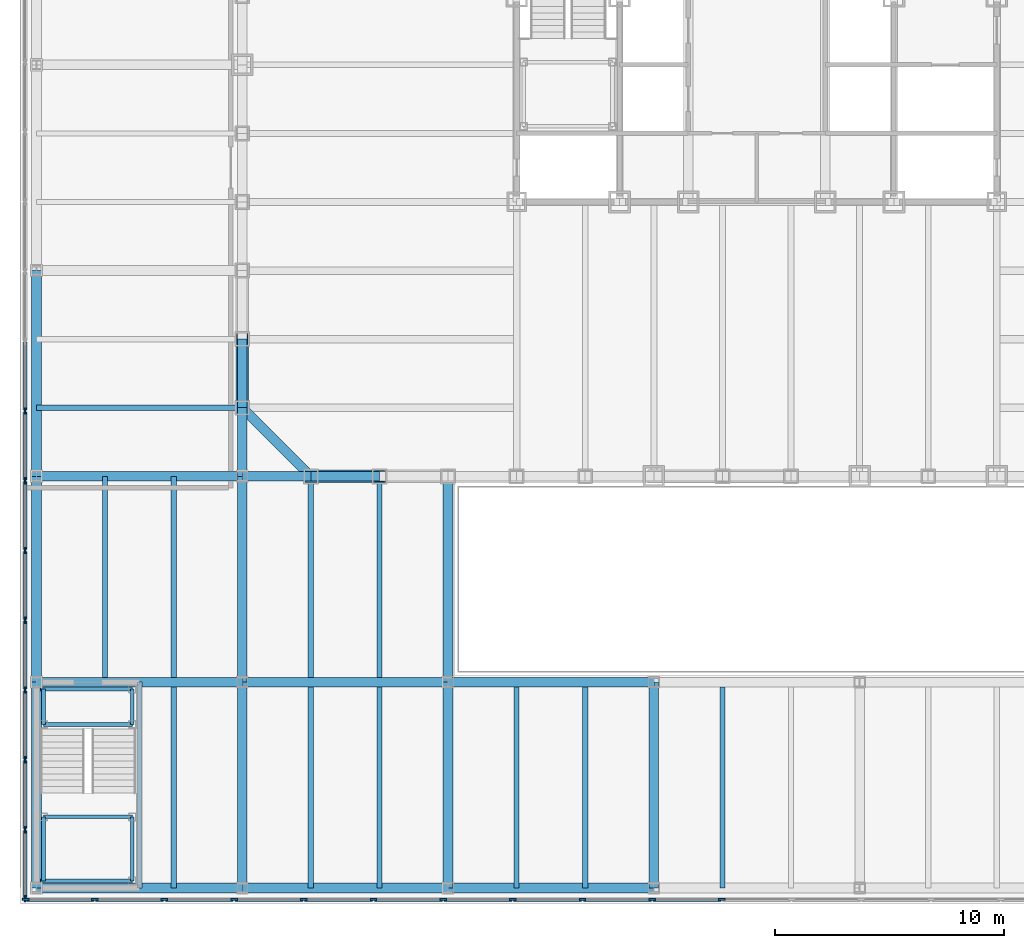
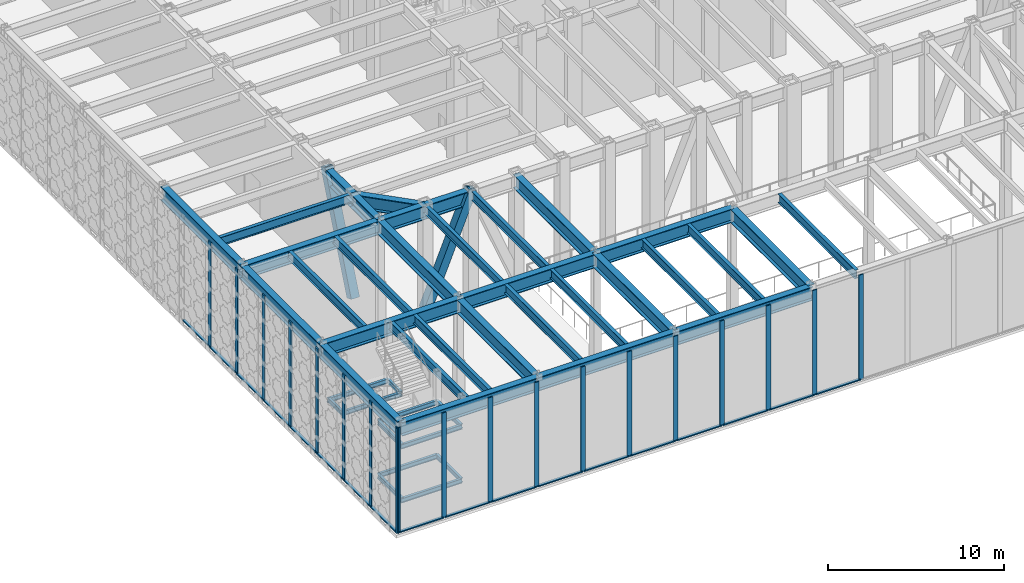
# One storey, part 3 of 34: 44 beams, 39 members, 2 elements without a shape of their own.
"""IFC4 building model written with IfcOpenShell, lengths in metres."""

from ifc_helpers import new_model, si_unit, direction, frame, origin, origin_2d, place, context, subcontext, project, spatial, rectangle, hollow_rectangle, i_section, extrude, material, layer, layer_set, material_profile, profile_set, type_object, element, aggregate, save


model = new_model("IFC4")

# Units and contexts
model_context = context("Model", 3, precision=1e-05, world=origin(), true_north=direction((0.0, 1.0)))
body_context = subcontext(model_context, "Body", "Model", "MODEL_VIEW")
ifc_project = project(units=[si_unit("LENGTHUNIT", "METRE"), si_unit("AREAUNIT", "SQUARE_METRE"), si_unit("VOLUMEUNIT", "CUBIC_METRE"), si_unit("PLANEANGLEUNIT", "RADIAN"), si_unit("MASSUNIT", "GRAM", prefix="KILO")], contexts=[model_context])

# Site, building, storey
site_placement = place(None, origin())
site = spatial("IfcSite", under=ifc_project, at=site_placement, CompositionType="ELEMENT")
building_placement = place(site_placement, origin())
building = spatial("IfcBuilding", under=site, at=building_placement, Name="Chuquiago Exchange Tower", CompositionType="ELEMENT")
storey_placement = place(building_placement, frame((0.0, 0.0, 6.0)))
storey = spatial("IfcBuildingStorey", under=building, at=storey_placement, Name="L01", CompositionType="ELEMENT", Elevation=6.0)

# Curtain wall, members
ifc_material_1 = material(Name="Aluminium curtain wall system", Category="aluminium")
ifc_layer = layer(ifc_material_1, 0.300048828125)
ifc_layer_set = layer_set([ifc_layer], Name="CW4 podium curtain wall")
curtain_wall_type = type_object("IfcCurtainWallType", Name="CW4 podium curtain wall", PredefinedType="NOTDEFINED", material=ifc_layer_set)
curtain_wall_1_placement = place(storey_placement, origin())
curtain_wall_1 = element("IfcCurtainWall", 1, at=curtain_wall_1_placement, inside=storey, type_object=curtain_wall_type, Name="CW4 curtain wall L01", PredefinedType="NOTDEFINED")
ifc_material_2 = material(Name="Aluminium mullion, pale anodised", Category="aluminium")
ifc_material_profile_1 = material_profile(ifc_material_2, rectangle(XDim=0.074951171875, YDim=0.300048828125, at=origin_2d()), Name="AL 75x300")
ifc_profile_set_1 = profile_set([ifc_material_profile_1], Name="Aluminium mullion, pale anodised")
member_type_1 = type_object("IfcMemberType", Name="CW4-M mullion 75x300", PredefinedType="MULLION", material=ifc_profile_set_1)
member_1_placement = place(storey_placement, frame((-9.46240234375, -18.5, 0.0), z_axis=(0.0, 0.0, 1.0), x_axis=(0.0, 1.0, 0.0)))
member_1 = element("IfcMember", 2, at=member_1_placement, type_object=member_type_1, Name="CW4 mullion 1", PredefinedType="MULLION", context=body_context, shape_type="SweptSolid", body=[
    extrude(rectangle(XDim=0.074951171875, YDim=0.300048828125, at=origin_2d()), origin(), (0.0, 0.0, 1.0), 7.300048828125),
])
member_2_placement = place(storey_placement, frame((-6.452392578125, -18.5, 0.0), z_axis=(0.0, 0.0, 1.0), x_axis=(0.0, 1.0, 0.0)))
member_2 = element("IfcMember", 3, at=member_2_placement, type_object=member_type_1, Name="CW4 mullion 2", PredefinedType="MULLION", context=body_context, shape_type="SweptSolid", body=[
    extrude(rectangle(XDim=0.074951171875, YDim=0.300048828125, at=origin_2d()), origin(), (0.0, 0.0, 1.0), 7.300048828125),
])
member_3_placement = place(storey_placement, frame((-3.40478515625, -18.5, 0.0), z_axis=(0.0, 0.0, 1.0), x_axis=(0.0, 1.0, 0.0)))
member_3 = element("IfcMember", 4, at=member_3_placement, type_object=member_type_1, Name="CW4 mullion 3", PredefinedType="MULLION", context=body_context, shape_type="SweptSolid", body=[
    extrude(rectangle(XDim=0.074951171875, YDim=0.300048828125, at=origin_2d()), origin(), (0.0, 0.0, 1.0), 7.300048828125),
])
member_4_placement = place(storey_placement, frame((-0.357177734375, -18.5, 0.0), z_axis=(0.0, 0.0, 1.0), x_axis=(0.0, 1.0, 0.0)))
member_4 = element("IfcMember", 5, at=member_4_placement, type_object=member_type_1, Name="CW4 mullion 4", PredefinedType="MULLION", context=body_context, shape_type="SweptSolid", body=[
    extrude(rectangle(XDim=0.074951171875, YDim=0.300048828125, at=origin_2d()), origin(), (0.0, 0.0, 1.0), 7.300048828125),
])
member_5_placement = place(storey_placement, frame((2.6904296875, -18.5, 0.0), z_axis=(0.0, 0.0, 1.0), x_axis=(0.0, 1.0, 0.0)))
member_5 = element("IfcMember", 6, at=member_5_placement, type_object=member_type_1, Name="CW4 mullion 5", PredefinedType="MULLION", context=body_context, shape_type="SweptSolid", body=[
    extrude(rectangle(XDim=0.074951171875, YDim=0.300048828125, at=origin_2d()), origin(), (0.0, 0.0, 1.0), 7.300048828125),
])
member_6_placement = place(storey_placement, frame((5.738037109375, -18.5, 0.0), z_axis=(0.0, 0.0, 1.0), x_axis=(0.0, 1.0, 0.0)))
member_6 = element("IfcMember", 7, at=member_6_placement, type_object=member_type_1, Name="CW4 mullion 6", PredefinedType="MULLION", context=body_context, shape_type="SweptSolid", body=[
    extrude(rectangle(XDim=0.074951171875, YDim=0.300048828125, at=origin_2d()), origin(), (0.0, 0.0, 1.0), 7.300048828125),
])
member_7_placement = place(storey_placement, frame((8.78564453125, -18.5, 0.0), z_axis=(0.0, 0.0, 1.0), x_axis=(0.0, 1.0, 0.0)))
member_7 = element("IfcMember", 8, at=member_7_placement, type_object=member_type_1, Name="CW4 mullion 7", PredefinedType="MULLION", context=body_context, shape_type="SweptSolid", body=[
    extrude(rectangle(XDim=0.074951171875, YDim=0.300048828125, at=origin_2d()), origin(), (0.0, 0.0, 1.0), 7.300048828125),
])
member_8_placement = place(storey_placement, frame((11.833251953125, -18.5, 0.0), z_axis=(0.0, 0.0, 1.0), x_axis=(0.0, 1.0, 0.0)))
member_8 = element("IfcMember", 9, at=member_8_placement, type_object=member_type_1, Name="CW4 mullion 8", PredefinedType="MULLION", context=body_context, shape_type="SweptSolid", body=[
    extrude(rectangle(XDim=0.074951171875, YDim=0.300048828125, at=origin_2d()), origin(), (0.0, 0.0, 1.0), 7.300048828125),
])
member_9_placement = place(storey_placement, frame((14.880859375, -18.5, 0.0), z_axis=(0.0, 0.0, 1.0), x_axis=(0.0, 1.0, 0.0)))
member_9 = element("IfcMember", 10, at=member_9_placement, type_object=member_type_1, Name="CW4 mullion 9", PredefinedType="MULLION", context=body_context, shape_type="SweptSolid", body=[
    extrude(rectangle(XDim=0.074951171875, YDim=0.300048828125, at=origin_2d()), origin(), (0.0, 0.0, 1.0), 7.300048828125),
])
member_10_placement = place(storey_placement, frame((17.928466796875, -18.5, 0.0), z_axis=(0.0, 0.0, 1.0), x_axis=(0.0, 1.0, 0.0)))
member_10 = element("IfcMember", 11, at=member_10_placement, type_object=member_type_1, Name="CW4 mullion 10", PredefinedType="MULLION", context=body_context, shape_type="SweptSolid", body=[
    extrude(rectangle(XDim=0.074951171875, YDim=0.300048828125, at=origin_2d()), origin(), (0.0, 0.0, 1.0), 7.300048828125),
])
member_11_placement = place(storey_placement, frame((20.97607421875, -18.5, 0.0), z_axis=(0.0, 0.0, 1.0), x_axis=(0.0, 1.0, 0.0)))
member_11 = element("IfcMember", 12, at=member_11_placement, type_object=member_type_1, Name="CW4 mullion 11", PredefinedType="MULLION", context=body_context, shape_type="SweptSolid", body=[
    extrude(rectangle(XDim=0.074951171875, YDim=0.300048828125, at=origin_2d()), origin(), (0.0, 0.0, 1.0), 7.300048828125),
])

curtain_wall_2_placement = place(storey_placement, origin())
curtain_wall_2 = element("IfcCurtainWall", 13, at=curtain_wall_2_placement, inside=storey, type_object=curtain_wall_type, Name="CW4 curtain wall L01", PredefinedType="NOTDEFINED")
member_12_placement = place(storey_placement, frame((-9.5, 2.8583984375, 0.0), z_axis=(0.0, 0.0, 1.0), x_axis=(1.0, 0.0, 0.0)))
member_12 = element("IfcMember", 14, at=member_12_placement, type_object=member_type_1, Name="CW4 mullion 15", PredefinedType="MULLION", context=body_context, shape_type="SweptSolid", body=[
    extrude(rectangle(XDim=0.074951171875, YDim=0.300048828125, at=origin_2d()), origin(), (0.0, 0.0, 1.0), 7.300048828125),
])
member_13_placement = place(storey_placement, frame((-9.5, -0.19287109375, 0.0), z_axis=(0.0, 0.0, 1.0), x_axis=(1.0, 0.0, 0.0)))
member_13 = element("IfcMember", 15, at=member_13_placement, type_object=member_type_1, Name="CW4 mullion 16", PredefinedType="MULLION", context=body_context, shape_type="SweptSolid", body=[
    extrude(rectangle(XDim=0.074951171875, YDim=0.300048828125, at=origin_2d()), origin(), (0.0, 0.0, 1.0), 7.300048828125),
])
member_14_placement = place(storey_placement, frame((-9.5, -3.244140625, 0.0), z_axis=(0.0, 0.0, 1.0), x_axis=(1.0, 0.0, 0.0)))
member_14 = element("IfcMember", 16, at=member_14_placement, type_object=member_type_1, Name="CW4 mullion 17", PredefinedType="MULLION", context=body_context, shape_type="SweptSolid", body=[
    extrude(rectangle(XDim=0.074951171875, YDim=0.300048828125, at=origin_2d()), origin(), (0.0, 0.0, 1.0), 7.300048828125),
])
member_15_placement = place(storey_placement, frame((-9.5, -6.295166015625, 0.0), z_axis=(0.0, 0.0, 1.0), x_axis=(1.0, 0.0, 0.0)))
member_15 = element("IfcMember", 17, at=member_15_placement, type_object=member_type_1, Name="CW4 mullion 18", PredefinedType="MULLION", context=body_context, shape_type="SweptSolid", body=[
    extrude(rectangle(XDim=0.074951171875, YDim=0.300048828125, at=origin_2d()), origin(), (0.0, 0.0, 1.0), 7.300048828125),
])
member_16_placement = place(storey_placement, frame((-9.5, -9.346435546875, 0.0), z_axis=(0.0, 0.0, 1.0), x_axis=(1.0, 0.0, 0.0)))
member_16 = element("IfcMember", 18, at=member_16_placement, type_object=member_type_1, Name="CW4 mullion 19", PredefinedType="MULLION", context=body_context, shape_type="SweptSolid", body=[
    extrude(rectangle(XDim=0.074951171875, YDim=0.300048828125, at=origin_2d()), origin(), (0.0, 0.0, 1.0), 7.300048828125),
])
member_17_placement = place(storey_placement, frame((-9.5, -12.397705078125, 0.0), z_axis=(0.0, 0.0, 1.0), x_axis=(1.0, 0.0, 0.0)))
member_17 = element("IfcMember", 19, at=member_17_placement, type_object=member_type_1, Name="CW4 mullion 20", PredefinedType="MULLION", context=body_context, shape_type="SweptSolid", body=[
    extrude(rectangle(XDim=0.074951171875, YDim=0.300048828125, at=origin_2d()), origin(), (0.0, 0.0, 1.0), 7.300048828125),
])
member_18_placement = place(storey_placement, frame((-9.5, -15.44873046875, 0.0), z_axis=(0.0, 0.0, 1.0), x_axis=(1.0, 0.0, 0.0)))
member_18 = element("IfcMember", 20, at=member_18_placement, type_object=member_type_1, Name="CW4 mullion 21", PredefinedType="MULLION", context=body_context, shape_type="SweptSolid", body=[
    extrude(rectangle(XDim=0.074951171875, YDim=0.300048828125, at=origin_2d()), origin(), (0.0, 0.0, 1.0), 7.300048828125),
])
member_19_placement = place(storey_placement, frame((-9.5, -18.46240234375, 0.0), z_axis=(0.0, 0.0, 1.0), x_axis=(1.0, 0.0, 0.0)))
member_19 = element("IfcMember", 21, at=member_19_placement, type_object=member_type_1, Name="CW4 mullion 22", PredefinedType="MULLION", context=body_context, shape_type="SweptSolid", body=[
    extrude(rectangle(XDim=0.074951171875, YDim=0.300048828125, at=origin_2d()), origin(), (0.0, 0.0, 1.0), 7.300048828125),
])

# Member
ifc_material_3 = material(Name="Aluminium transom, pale anodised", Category="aluminium")
ifc_material_profile_2 = material_profile(ifc_material_3, rectangle(XDim=0.179931640625, YDim=0.074951171875, at=origin_2d()), Name="AL 180x75")
ifc_profile_set_2 = profile_set([ifc_material_profile_2], Name="Aluminium transom, pale anodised")
member_type_2 = type_object("IfcMemberType", Name="CW4-T transom 75x180", PredefinedType="MULLION", material=ifc_profile_set_2)
member_20_placement = place(storey_placement, frame((-9.425048828125, -18.5, 0.03759765625), z_axis=(1.0, 0.0, 0.0), x_axis=(0.0, 1.0, 0.0)))
member_20 = element("IfcMember", 22, at=member_20_placement, type_object=member_type_2, Name="CW4 transom 1.1", PredefinedType="MULLION", context=body_context, shape_type="SweptSolid", body=[
    extrude(rectangle(XDim=0.179931640625, YDim=0.074951171875, at=origin_2d()), origin(), (0.0, 0.0, 1.0), 2.93505859375),
])

member_21_placement = place(storey_placement, frame((-6.414794921875, -18.5, 0.03759765625), z_axis=(1.0, 0.0, 0.0), x_axis=(0.0, 1.0, 0.0)))
member_21 = element("IfcMember", 23, at=member_21_placement, type_object=member_type_2, Name="CW4 transom 2.1", PredefinedType="MULLION", context=body_context, shape_type="SweptSolid", body=[
    extrude(rectangle(XDim=0.179931640625, YDim=0.074951171875, at=origin_2d()), origin(), (0.0, 0.0, 1.0), 2.972412109375),
])

member_22_placement = place(storey_placement, frame((-3.3671875, -18.5, 0.03759765625), z_axis=(1.0, 0.0, 0.0), x_axis=(0.0, 1.0, 0.0)))
member_22 = element("IfcMember", 24, at=member_22_placement, type_object=member_type_2, Name="CW4 transom 3.1", PredefinedType="MULLION", context=body_context, shape_type="SweptSolid", body=[
    extrude(rectangle(XDim=0.179931640625, YDim=0.074951171875, at=origin_2d()), origin(), (0.0, 0.0, 1.0), 2.97265625),
])

member_23_placement = place(storey_placement, frame((-0.319580078125, -18.5, 0.03759765625), z_axis=(1.0, 0.0, 0.0), x_axis=(0.0, 1.0, 0.0)))
member_23 = element("IfcMember", 25, at=member_23_placement, type_object=member_type_2, Name="CW4 transom 4.1", PredefinedType="MULLION", context=body_context, shape_type="SweptSolid", body=[
    extrude(rectangle(XDim=0.179931640625, YDim=0.074951171875, at=origin_2d()), origin(), (0.0, 0.0, 1.0), 2.97265625),
])

member_24_placement = place(storey_placement, frame((2.72802734375, -18.5, 0.03759765625), z_axis=(1.0, 0.0, 0.0), x_axis=(0.0, 1.0, 0.0)))
member_24 = element("IfcMember", 26, at=member_24_placement, type_object=member_type_2, Name="CW4 transom 5.1", PredefinedType="MULLION", context=body_context, shape_type="SweptSolid", body=[
    extrude(rectangle(XDim=0.179931640625, YDim=0.074951171875, at=origin_2d()), origin(), (0.0, 0.0, 1.0), 2.97265625),
])

member_25_placement = place(storey_placement, frame((5.775634765625, -18.5, 0.03759765625), z_axis=(1.0, 0.0, 0.0), x_axis=(0.0, 1.0, 0.0)))
member_25 = element("IfcMember", 27, at=member_25_placement, type_object=member_type_2, Name="CW4 transom 6.1", PredefinedType="MULLION", context=body_context, shape_type="SweptSolid", body=[
    extrude(rectangle(XDim=0.179931640625, YDim=0.074951171875, at=origin_2d()), origin(), (0.0, 0.0, 1.0), 2.97265625),
])

member_26_placement = place(storey_placement, frame((8.8232421875, -18.5, 0.03759765625), z_axis=(1.0, 0.0, 0.0), x_axis=(0.0, 1.0, 0.0)))
member_26 = element("IfcMember", 28, at=member_26_placement, type_object=member_type_2, Name="CW4 transom 7.1", PredefinedType="MULLION", context=body_context, shape_type="SweptSolid", body=[
    extrude(rectangle(XDim=0.179931640625, YDim=0.074951171875, at=origin_2d()), origin(), (0.0, 0.0, 1.0), 2.97265625),
])

member_27_placement = place(storey_placement, frame((11.870849609375, -18.5, 0.03759765625), z_axis=(1.0, 0.0, 0.0), x_axis=(0.0, 1.0, 0.0)))
member_27 = element("IfcMember", 29, at=member_27_placement, type_object=member_type_2, Name="CW4 transom 8.1", PredefinedType="MULLION", context=body_context, shape_type="SweptSolid", body=[
    extrude(rectangle(XDim=0.179931640625, YDim=0.074951171875, at=origin_2d()), origin(), (0.0, 0.0, 1.0), 2.97265625),
])

member_28_placement = place(storey_placement, frame((14.91845703125, -18.5, 0.03759765625), z_axis=(1.0, 0.0, 0.0), x_axis=(0.0, 1.0, 0.0)))
member_28 = element("IfcMember", 30, at=member_28_placement, type_object=member_type_2, Name="CW4 transom 9.1", PredefinedType="MULLION", context=body_context, shape_type="SweptSolid", body=[
    extrude(rectangle(XDim=0.179931640625, YDim=0.074951171875, at=origin_2d()), origin(), (0.0, 0.0, 1.0), 2.97265625),
])

member_29_placement = place(storey_placement, frame((17.966064453125, -18.5, 0.03759765625), z_axis=(1.0, 0.0, 0.0), x_axis=(0.0, 1.0, 0.0)))
member_29 = element("IfcMember", 31, at=member_29_placement, type_object=member_type_2, Name="CW4 transom 10.1", PredefinedType="MULLION", context=body_context, shape_type="SweptSolid", body=[
    extrude(rectangle(XDim=0.179931640625, YDim=0.074951171875, at=origin_2d()), origin(), (0.0, 0.0, 1.0), 2.97265625),
])

aggregate(curtain_wall_1, [member_1, member_2, member_3, member_4, member_5, member_6, member_7, member_8, member_9, member_10, member_11, member_20, member_21, member_22, member_23, member_24, member_25, member_26, member_27, member_28, member_29])

member_30_placement = place(storey_placement, frame((-9.5, 5.8720703125, 0.03759765625), z_axis=(0.0, -1.0, 0.0), x_axis=(1.0, 0.0, 0.0)))
member_30 = element("IfcMember", 32, at=member_30_placement, type_object=member_type_2, Name="CW4 transom 14.1", PredefinedType="MULLION", context=body_context, shape_type="SweptSolid", body=[
    extrude(rectangle(XDim=0.179931640625, YDim=0.074951171875, at=origin_2d()), origin(), (0.0, 0.0, 1.0), 2.976318359375),
])

member_31_placement = place(storey_placement, frame((-9.5, 2.82080078125, 0.03759765625), z_axis=(0.0, -1.0, 0.0), x_axis=(1.0, 0.0, 0.0)))
member_31 = element("IfcMember", 33, at=member_31_placement, type_object=member_type_2, Name="CW4 transom 15.1", PredefinedType="MULLION", context=body_context, shape_type="SweptSolid", body=[
    extrude(rectangle(XDim=0.179931640625, YDim=0.074951171875, at=origin_2d()), origin(), (0.0, 0.0, 1.0), 2.97607421875),
])

member_32_placement = place(storey_placement, frame((-9.5, -0.23046875, 0.03759765625), z_axis=(0.0, -1.0, 0.0), x_axis=(1.0, 0.0, 0.0)))
member_32 = element("IfcMember", 34, at=member_32_placement, type_object=member_type_2, Name="CW4 transom 16.1", PredefinedType="MULLION", context=body_context, shape_type="SweptSolid", body=[
    extrude(rectangle(XDim=0.179931640625, YDim=0.074951171875, at=origin_2d()), origin(), (0.0, 0.0, 1.0), 2.97607421875),
])

member_33_placement = place(storey_placement, frame((-9.5, -3.281494140625, 0.03759765625), z_axis=(0.0, -1.0, 0.0), x_axis=(1.0, 0.0, 0.0)))
member_33 = element("IfcMember", 35, at=member_33_placement, type_object=member_type_2, Name="CW4 transom 17.1", PredefinedType="MULLION", context=body_context, shape_type="SweptSolid", body=[
    extrude(rectangle(XDim=0.179931640625, YDim=0.074951171875, at=origin_2d()), origin(), (0.0, 0.0, 1.0), 2.976318359375),
])

member_34_placement = place(storey_placement, frame((-9.5, -6.332763671875, 0.03759765625), z_axis=(0.0, -1.0, 0.0), x_axis=(1.0, 0.0, 0.0)))
member_34 = element("IfcMember", 36, at=member_34_placement, type_object=member_type_2, Name="CW4 transom 18.1", PredefinedType="MULLION", context=body_context, shape_type="SweptSolid", body=[
    extrude(rectangle(XDim=0.179931640625, YDim=0.074951171875, at=origin_2d()), origin(), (0.0, 0.0, 1.0), 2.97607421875),
])

member_35_placement = place(storey_placement, frame((-9.5, -9.384033203125, 0.03759765625), z_axis=(0.0, -1.0, 0.0), x_axis=(1.0, 0.0, 0.0)))
member_35 = element("IfcMember", 37, at=member_35_placement, type_object=member_type_2, Name="CW4 transom 19.1", PredefinedType="MULLION", context=body_context, shape_type="SweptSolid", body=[
    extrude(rectangle(XDim=0.179931640625, YDim=0.074951171875, at=origin_2d()), origin(), (0.0, 0.0, 1.0), 2.97607421875),
])

member_36_placement = place(storey_placement, frame((-9.5, -12.43505859375, 0.03759765625), z_axis=(0.0, -1.0, 0.0), x_axis=(1.0, 0.0, 0.0)))
member_36 = element("IfcMember", 38, at=member_36_placement, type_object=member_type_2, Name="CW4 transom 20.1", PredefinedType="MULLION", context=body_context, shape_type="SweptSolid", body=[
    extrude(rectangle(XDim=0.179931640625, YDim=0.074951171875, at=origin_2d()), origin(), (0.0, 0.0, 1.0), 2.976318359375),
])

member_37_placement = place(storey_placement, frame((-9.5, -15.486328125, 0.03759765625), z_axis=(0.0, -1.0, 0.0), x_axis=(1.0, 0.0, 0.0)))
member_37 = element("IfcMember", 39, at=member_37_placement, type_object=member_type_2, Name="CW4 transom 21.1", PredefinedType="MULLION", context=body_context, shape_type="SweptSolid", body=[
    extrude(rectangle(XDim=0.179931640625, YDim=0.074951171875, at=origin_2d()), origin(), (0.0, 0.0, 1.0), 2.938720703125),
])

aggregate(curtain_wall_2, [member_12, member_13, member_14, member_15, member_16, member_17, member_18, member_19, member_30, member_31, member_32, member_33, member_34, member_35, member_36, member_37])

# Beams
ifc_material_4 = material(Name="Steel ASTM A992", Category="steel")
ifc_material_profile_3 = material_profile(ifc_material_4, i_section(OverallWidth=0.164794921875, OverallDepth=0.309814453125, WebThickness=0.005859375, FlangeThickness=0.009765625, at=origin_2d()), Name="W12X26")
ifc_profile_set_3 = profile_set([ifc_material_profile_3], Name="Steel ASTM A992")
beam_type_1 = type_object("IfcBeamType", Name="LS1 W12X26", PredefinedType="BEAM", material=ifc_profile_set_3)
for number, where, z_axis, x_axis, name in (
    (40, (-8.68994140625, -17.68994140625, 1.52001953125), (0.0, 1.0, 0.0), (-1.0, 0.0, 0.0), "Stair PS1 L01 landing 1 stringer"),
    (41, (-4.81005859375, -17.68994140625, 1.52001953125), (0.0, 1.0, 0.0), (-1.0, 0.0, 0.0), "Stair PS1 L01 landing 1 stringer"),
):
    element("IfcBeam", number, at=place(storey_placement, frame(where, z_axis=z_axis, x_axis=x_axis)), inside=storey, type_object=beam_type_1, Name=name, PredefinedType="BEAM", context=body_context, shape_type="SweptSolid", body=[
        extrude(i_section(OverallWidth=0.164794921875, OverallDepth=0.309814453125, WebThickness=0.005859375, FlangeThickness=0.009765625, at=origin_2d()), origin(), (0.0, 0.0, 1.0), 2.800048828125),
    ])
for number, where, z_axis, x_axis, name in (
    (42, (-8.68994140625, -10.85009765625, 3.39501953125), (0.0, 1.0, 0.0), (-1.0, 0.0, 0.0), "Stair PS1 L01 landing 2 stringer"),
    (43, (-4.81005859375, -10.85009765625, 3.39501953125), (0.0, 1.0, 0.0), (-1.0, 0.0, 0.0), "Stair PS1 L01 landing 2 stringer"),
):
    element("IfcBeam", number, at=place(storey_placement, frame(where, z_axis=z_axis, x_axis=x_axis)), inside=storey, type_object=beam_type_1, Name=name, PredefinedType="BEAM", context=body_context, shape_type="SweptSolid", body=[
        extrude(i_section(OverallWidth=0.164794921875, OverallDepth=0.309814453125, WebThickness=0.005859375, FlangeThickness=0.009765625, at=origin_2d()), origin(), (0.0, 0.0, 1.0), 1.5400390625),
    ])
for number, where, z_axis, x_axis, name in (
    (44, (-8.68994140625, -17.68994140625, 5.27001953125), (0.0, 1.0, 0.0), (-1.0, 0.0, 0.0), "Stair PS1 L01 landing 3 stringer"),
    (45, (-4.81005859375, -17.68994140625, 5.27001953125), (0.0, 1.0, 0.0), (-1.0, 0.0, 0.0), "Stair PS1 L01 landing 3 stringer"),
):
    element("IfcBeam", number, at=place(storey_placement, frame(where, z_axis=z_axis, x_axis=x_axis)), inside=storey, type_object=beam_type_1, Name=name, PredefinedType="BEAM", context=body_context, shape_type="SweptSolid", body=[
        extrude(i_section(OverallWidth=0.164794921875, OverallDepth=0.309814453125, WebThickness=0.005859375, FlangeThickness=0.009765625, at=origin_2d()), origin(), (0.0, 0.0, 1.0), 2.800048828125),
    ])
ifc_material_5 = material(Name="Steel ASTM A992", Category="steel")
ifc_material_profile_4 = material_profile(ifc_material_5, i_section(OverallWidth=0.164794921875, OverallDepth=0.309814453125, WebThickness=0.005859375, FlangeThickness=0.009765625, at=origin_2d()), Name="W12X26")
ifc_profile_set_4 = profile_set([ifc_material_profile_4], Name="Steel ASTM A992")
beam_type_2 = type_object("IfcBeamType", Name="LT1 W12X26", PredefinedType="BEAM", material=ifc_profile_set_4)
beam_1_placement = place(storey_placement, frame((-8.814208984375, -17.68994140625, 1.52001953125), z_axis=(1.0, 0.0, 0.0), x_axis=(0.0, 1.0, 0.0)))
element("IfcBeam", 46, at=beam_1_placement, inside=storey, type_object=beam_type_2, Name="Stair PS1 L01 landing 1 trimmer", PredefinedType="BEAM", context=body_context, shape_type="SweptSolid", body=[
    extrude(i_section(OverallWidth=0.164794921875, OverallDepth=0.309814453125, WebThickness=0.005859375, FlangeThickness=0.009765625, at=origin_2d()), origin(), (0.0, 0.0, 1.0), 4.004150390625),
])
for number, where, z_axis, x_axis, name in (
    (47, (-8.68994140625, -14.889892578125, 1.52001953125), (1.0, 0.0, 0.0), (0.0, 1.0, 0.0), "Stair PS1 L01 landing 1 trimmer"),
    (48, (-8.68994140625, -10.85009765625, 3.39501953125), (1.0, 0.0, 0.0), (0.0, 1.0, 0.0), "Stair PS1 L01 landing 2 trimmer"),
):
    element("IfcBeam", number, at=place(storey_placement, frame(where, z_axis=z_axis, x_axis=x_axis)), inside=storey, type_object=beam_type_2, Name=name, PredefinedType="BEAM", context=body_context, shape_type="SweptSolid", body=[
        extrude(i_section(OverallWidth=0.164794921875, OverallDepth=0.309814453125, WebThickness=0.005859375, FlangeThickness=0.009765625, at=origin_2d()), origin(), (0.0, 0.0, 1.0), 3.8798828125),
    ])
for number, where, z_axis, x_axis, name in (
    (49, (-8.814208984375, -9.31005859375, 3.39501953125), (1.0, 0.0, 0.0), (0.0, 1.0, 0.0), "Stair PS1 L01 landing 2 trimmer"),
    (50, (-8.814208984375, -17.68994140625, 5.27001953125), (1.0, 0.0, 0.0), (0.0, 1.0, 0.0), "Stair PS1 L01 landing 3 trimmer"),
):
    element("IfcBeam", number, at=place(storey_placement, frame(where, z_axis=z_axis, x_axis=x_axis)), inside=storey, type_object=beam_type_2, Name=name, PredefinedType="BEAM", context=body_context, shape_type="SweptSolid", body=[
        extrude(i_section(OverallWidth=0.164794921875, OverallDepth=0.309814453125, WebThickness=0.005859375, FlangeThickness=0.009765625, at=origin_2d()), origin(), (0.0, 0.0, 1.0), 4.004150390625),
    ])
beam_2_placement = place(storey_placement, frame((-8.68994140625, -14.889892578125, 5.27001953125), z_axis=(1.0, 0.0, 0.0), x_axis=(0.0, 1.0, 0.0)))
element("IfcBeam", 51, at=beam_2_placement, inside=storey, type_object=beam_type_2, Name="Stair PS1 L01 landing 3 trimmer", PredefinedType="BEAM", context=body_context, shape_type="SweptSolid", body=[
    extrude(i_section(OverallWidth=0.164794921875, OverallDepth=0.309814453125, WebThickness=0.005859375, FlangeThickness=0.009765625, at=origin_2d()), origin(), (0.0, 0.0, 1.0), 3.8798828125),
])

# Members
ifc_material_6 = material(Name="Steel ASTM A572 Grade 50", Category="steel")
ifc_material_profile_5 = material_profile(ifc_material_6, hollow_rectangle(XDim=0.550048828125, YDim=0.550048828125, WallThickness=0.044921875, at=origin_2d()), Name="BOX550X550X45")
ifc_profile_set_5 = profile_set([ifc_material_profile_5], Name="Steel ASTM A572 Grade 50")
member_type_3 = type_object("IfcMemberType", Name="MB1 BOX550X550X45", PredefinedType="BRACE", material=ifc_profile_set_5)
for number, where, z_axis, x_axis, name in (
    (52, (3.0, 0.0, 0.0), (0.378334309689, 0.0, 0.925669028385), (0.0, 1.0, 0.0), "Mega diagonal L01 S face"),
    (53, (0.0, 3.0, 0.0), (0.0, 0.378334309689, 0.925669028385), (-1.0, 0.0, 0.0), "Mega diagonal L01 W face"),
):
    element("IfcMember", number, at=place(storey_placement, frame(where, z_axis=z_axis, x_axis=x_axis)), inside=storey, type_object=member_type_3, Name=name, PredefinedType="BRACE", context=body_context, shape_type="SweptSolid", body=[
        extrude(hollow_rectangle(XDim=0.550048828125, YDim=0.550048828125, WallThickness=0.044921875, at=origin_2d()), origin(), (0.0, 0.0, 1.0), 7.929443359375),
    ])

# Beams
ifc_material_7 = material(Name="Steel ASTM A992", Category="steel")
ifc_material_profile_6 = material_profile(ifc_material_7, i_section(OverallWidth=0.227783203125, OverallDepth=0.60205078125, WebThickness=0.010498046875, FlangeThickness=0.014892578125, at=origin_2d()), Name="W24X68")
ifc_profile_set_6 = profile_set([ifc_material_profile_6], Name="Steel ASTM A992")
beam_type_3 = type_object("IfcBeamType", Name="PB1 W24X68", PredefinedType="BEAM", material=ifc_profile_set_6)
beam_3_placement = place(storey_placement, frame((-4.5, -18.0, 6.9990234375), z_axis=(0.0, 1.0, 0.0), x_axis=(-1.0, 0.0, 0.0)))
element("IfcBeam", 54, at=beam_3_placement, inside=storey, type_object=beam_type_3, Name="PT-L02-PS1", PredefinedType="BEAM", context=body_context, shape_type="SweptSolid", body=[
    extrude(i_section(OverallWidth=0.227783203125, OverallDepth=0.60205078125, WebThickness=0.010498046875, FlangeThickness=0.014892578125, at=origin_2d()), origin(), (0.0, 0.0, 1.0), 9.0),
])
for number, where, z_axis, x_axis, name in (
    (55, (-6.0, -8.787841796875, 6.9990234375), (0.0, 1.0, 0.0), (-1.0, 0.0, 0.0), "PB-L02--6_-9"),
    (56, (-3.0, -18.0, 6.9990234375), (0.0, 1.0, 0.0), (-1.0, 0.0, 0.0), "PB-L02--3_-18"),
    (57, (-3.0, -8.787841796875, 6.9990234375), (0.0, 1.0, 0.0), (-1.0, 0.0, 0.0), "PB-L02--3_-9"),
    (58, (3.0, -18.0, 6.9990234375), (0.0, 1.0, 0.0), (-1.0, 0.0, 0.0), "PB-L02-3_-18"),
    (59, (3.0, -8.787841796875, 6.9990234375), (0.0, 1.0, 0.0), (-1.0, 0.0, 0.0), "PB-L02-3_-9"),
    (60, (6.0, -18.0, 6.9990234375), (0.0, 1.0, 0.0), (-1.0, 0.0, 0.0), "PB-L02-6_-18"),
    (61, (6.0, -8.787841796875, 6.9990234375), (0.0, 1.0, 0.0), (-1.0, 0.0, 0.0), "PB-L02-6_-9"),
    (62, (12.0, -18.0, 6.9990234375), (0.0, 1.0, 0.0), (-1.0, 0.0, 0.0), "PB-L02-12_-18"),
    (63, (15.0, -18.0, 6.9990234375), (0.0, 1.0, 0.0), (-1.0, 0.0, 0.0), "PB-L02-15_-18"),
    (64, (21.0, -18.0, 6.9990234375), (0.0, 1.0, 0.0), (-1.0, 0.0, 0.0), "PB-L02-21_-18"),
):
    element("IfcBeam", number, at=place(storey_placement, frame(where, z_axis=z_axis, x_axis=x_axis)), inside=storey, type_object=beam_type_3, Name=name, PredefinedType="BEAM", context=body_context, shape_type="SweptSolid", body=[
        extrude(i_section(OverallWidth=0.227783203125, OverallDepth=0.60205078125, WebThickness=0.010498046875, FlangeThickness=0.014892578125, at=origin_2d()), origin(), (0.0, 0.0, 1.0), 8.787841796875),
    ])
beam_4_placement = place(storey_placement, frame((-9.0, 3.0, 6.9990234375), z_axis=(1.0, 0.0, 0.0), x_axis=(0.0, 1.0, 0.0)))
element("IfcBeam", 65, at=beam_4_placement, inside=storey, type_object=beam_type_3, Name="PB-L02--9_3", PredefinedType="BEAM", context=body_context, shape_type="SweptSolid", body=[
    extrude(i_section(OverallWidth=0.227783203125, OverallDepth=0.60205078125, WebThickness=0.010498046875, FlangeThickness=0.014892578125, at=origin_2d()), origin(), (0.0, 0.0, 1.0), 9.0),
])
ifc_material_8 = material(Name="Steel ASTM A992", Category="steel")
ifc_material_profile_7 = material_profile(ifc_material_8, i_section(OverallWidth=0.424072265625, OverallDepth=0.947509765625, WebThickness=0.02392578125, FlangeThickness=0.042724609375, at=origin_2d()), Name="W36X302")
ifc_profile_set_7 = profile_set([ifc_material_profile_7], Name="Steel ASTM A992")
beam_type_4 = type_object("IfcBeamType", Name="PG1 W36X302", PredefinedType="BEAM", material=ifc_profile_set_7)
for number, where, z_axis, x_axis, name in (
    (66, (-9.0, -18.0, 6.826416015625), (0.0, 1.0, 0.0), (-1.0, 0.0, 0.0), "PG-L02--9_-18--9_-9"),
    (67, (-9.0, -9.0, 6.826416015625), (0.0, 1.0, 0.0), (-1.0, 0.0, 0.0), "PG-L02--9_-9--9_0"),
    (68, (-9.0, 0.0, 6.826416015625), (0.0, 1.0, 0.0), (-1.0, 0.0, 0.0), "PG-L02--9_0--9_9"),
    (69, (0.0, -18.0, 6.826416015625), (0.0, 1.0, 0.0), (-1.0, 0.0, 0.0), "PG-L02-0_-18-0_-9"),
    (70, (0.0, -9.0, 6.826416015625), (0.0, 1.0, 0.0), (-1.0, 0.0, 0.0), "PG-L02-0_-9-0_0"),
):
    element("IfcBeam", number, at=place(storey_placement, frame(where, z_axis=z_axis, x_axis=x_axis)), inside=storey, type_object=beam_type_4, Name=name, PredefinedType="BEAM", context=body_context, shape_type="SweptSolid", body=[
        extrude(i_section(OverallWidth=0.424072265625, OverallDepth=0.947509765625, WebThickness=0.02392578125, FlangeThickness=0.042724609375, at=origin_2d()), origin(), (0.0, 0.0, 1.0), 9.0),
    ])
beam_5_placement = place(storey_placement, frame((0.0, 0.0, 6.826416015625), z_axis=(0.0, 1.0, 0.0), x_axis=(-1.0, 0.0, 0.0)))
element("IfcBeam", 71, at=beam_5_placement, inside=storey, type_object=beam_type_4, Name="PG-L02-0_0-0_3", PredefinedType="BEAM", context=body_context, shape_type="SweptSolid", body=[
    extrude(i_section(OverallWidth=0.424072265625, OverallDepth=0.947509765625, WebThickness=0.02392578125, FlangeThickness=0.042724609375, at=origin_2d()), origin(), (0.0, 0.0, 1.0), 3.0),
])
for number, where, z_axis, x_axis, name in (
    (72, (9.0, -18.0, 6.826416015625), (0.0, 1.0, 0.0), (-1.0, 0.0, 0.0), "PG-L02-9_-18-9_-9"),
    (73, (9.0, -9.0, 6.826416015625), (0.0, 1.0, 0.0), (-1.0, 0.0, 0.0), "PG-L02-9_-9-9_0"),
    (74, (18.0, -18.0, 6.826416015625), (0.0, 1.0, 0.0), (-1.0, 0.0, 0.0), "PG-L02-18_-18-18_-9"),
    (75, (-9.0, -18.0, 6.826416015625), (1.0, 0.0, 0.0), (0.0, 1.0, 0.0), "PG-L02--9_-18-0_-18"),
    (76, (0.0, -18.0, 6.826416015625), (1.0, 0.0, 0.0), (0.0, 1.0, 0.0), "PG-L02-0_-18-9_-18"),
    (77, (9.0, -18.0, 6.826416015625), (1.0, 0.0, 0.0), (0.0, 1.0, 0.0), "PG-L02-9_-18-18_-18"),
    (78, (-9.0, -9.0, 6.826416015625), (1.0, 0.0, 0.0), (0.0, 1.0, 0.0), "PG-L02--9_-9-0_-9"),
    (79, (0.0, -9.0, 6.826416015625), (1.0, 0.0, 0.0), (0.0, 1.0, 0.0), "PG-L02-0_-9-9_-9"),
    (80, (9.0, -9.0, 6.826416015625), (1.0, 0.0, 0.0), (0.0, 1.0, 0.0), "PG-L02-9_-9-18_-9"),
    (81, (-9.0, 0.0, 6.826416015625), (1.0, 0.0, 0.0), (0.0, 1.0, 0.0), "PG-L02--9_0-0_0"),
):
    element("IfcBeam", number, at=place(storey_placement, frame(where, z_axis=z_axis, x_axis=x_axis)), inside=storey, type_object=beam_type_4, Name=name, PredefinedType="BEAM", context=body_context, shape_type="SweptSolid", body=[
        extrude(i_section(OverallWidth=0.424072265625, OverallDepth=0.947509765625, WebThickness=0.02392578125, FlangeThickness=0.042724609375, at=origin_2d()), origin(), (0.0, 0.0, 1.0), 9.0),
    ])
beam_6_placement = place(storey_placement, frame((0.0, 0.0, 6.826416015625), z_axis=(1.0, 0.0, 0.0), x_axis=(0.0, 1.0, 0.0)))
element("IfcBeam", 82, at=beam_6_placement, inside=storey, type_object=beam_type_4, Name="PG-L02-0_0-3_0", PredefinedType="BEAM", context=body_context, shape_type="SweptSolid", body=[
    extrude(i_section(OverallWidth=0.424072265625, OverallDepth=0.947509765625, WebThickness=0.02392578125, FlangeThickness=0.042724609375, at=origin_2d()), origin(), (0.0, 0.0, 1.0), 3.0),
])
ifc_material_9 = material(Name="Steel ASTM A992", Category="steel")
ifc_material_profile_8 = material_profile(ifc_material_9, i_section(OverallWidth=0.4267578125, OverallDepth=0.95751953125, WebThickness=0.028564453125, FlangeThickness=0.050048828125, at=origin_2d()), Name="W36X361")
ifc_profile_set_8 = profile_set([ifc_material_profile_8], Name="Steel ASTM A992")
beam_type_5 = type_object("IfcBeamType", Name="SP1 W36X361", PredefinedType="SPANDREL", material=ifc_profile_set_8)
for number, where, z_axis, x_axis, name in (
    (83, (3.0, 0.0, 6.8212890625), (1.0, 0.0, 0.0), (0.0, 1.0, 0.0), "SPB-L02-3_0-6_0"),
    (84, (0.0, 6.0, 6.8212890625), (0.0, -1.0, 0.0), (1.0, 0.0, 0.0), "SPB-L02-0_6-0_3"),
):
    element("IfcBeam", number, at=place(storey_placement, frame(where, z_axis=z_axis, x_axis=x_axis)), inside=storey, type_object=beam_type_5, Name=name, PredefinedType="SPANDREL", context=body_context, shape_type="SweptSolid", body=[
        extrude(i_section(OverallWidth=0.4267578125, OverallDepth=0.95751953125, WebThickness=0.028564453125, FlangeThickness=0.050048828125, at=origin_2d()), origin(), (0.0, 0.0, 1.0), 3.0),
    ])
beam_7_placement = place(storey_placement, frame((0.0, 3.0, 6.8212890625), z_axis=(0.707106781187, -0.707106781187, 0.0), x_axis=(0.707106781187, 0.707106781187, 0.0)))
element("IfcBeam", 85, at=beam_7_placement, inside=storey, type_object=beam_type_5, Name="SPB-L02-0_3-3_0", PredefinedType="SPANDREL", context=body_context, shape_type="SweptSolid", body=[
    extrude(i_section(OverallWidth=0.4267578125, OverallDepth=0.95751953125, WebThickness=0.028564453125, FlangeThickness=0.050048828125, at=origin_2d()), origin(), (0.0, 0.0, 1.0), 4.24267578125),
])

save(model, "model.ifc")
